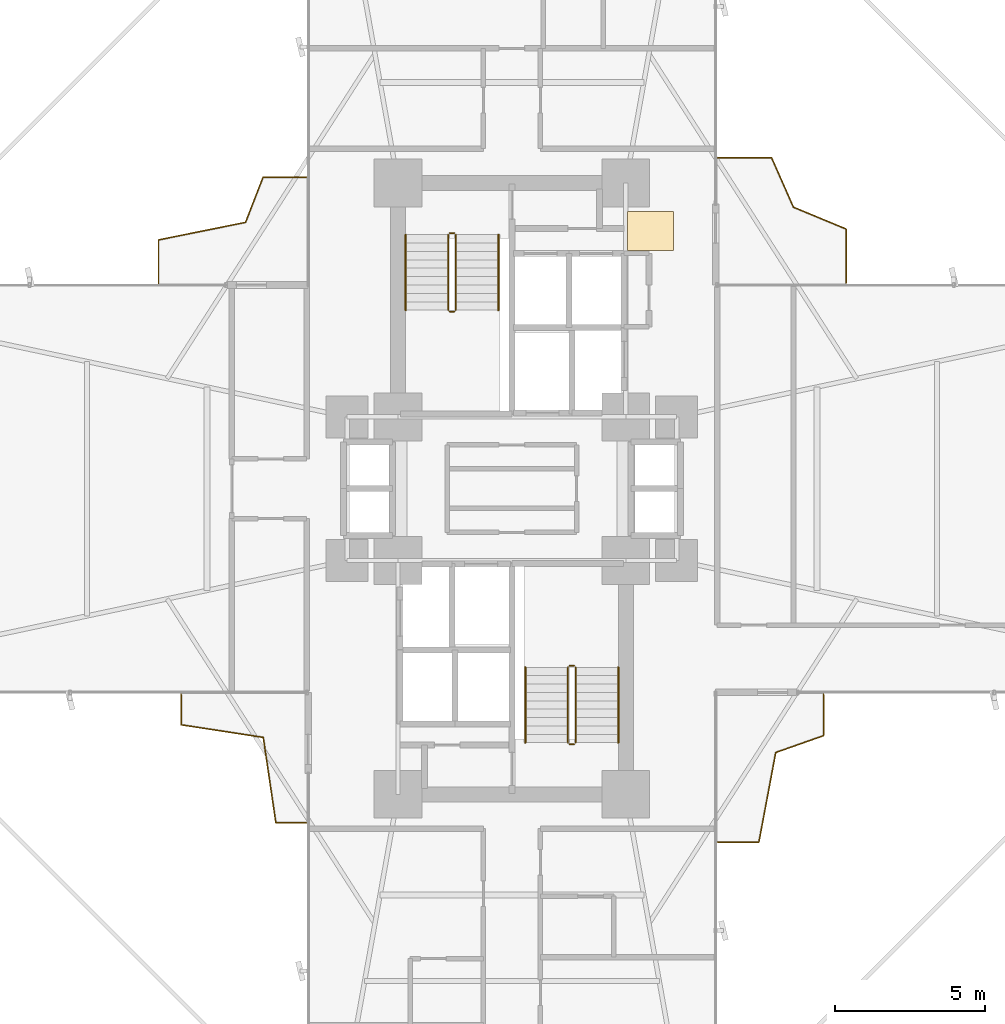
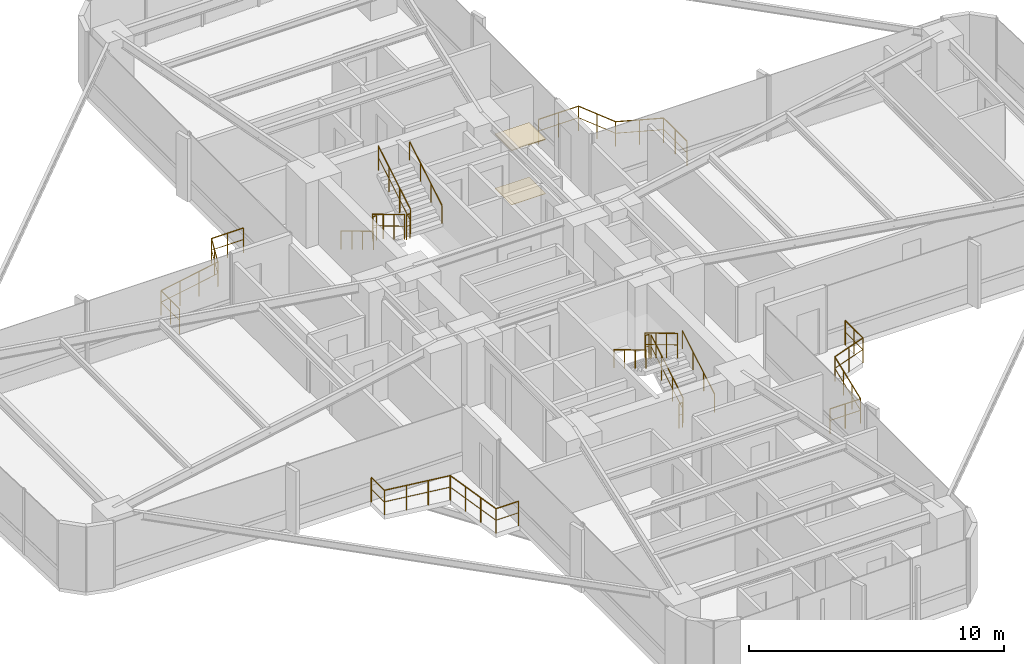
# One storey, part 25 of 25: 16 railings, 2 coverings.
"""IFC4 building model written with IfcOpenShell, lengths in metres."""

from ifc_helpers import new_model, si_unit, direction, frame, origin, origin_2d, place, context, subcontext, project, spatial, polyline, circle, outline, extrude, material, layer, layer_set, type_object, element, save


model = new_model("IFC4")

# Units and contexts
model_context = context("Model", 3, precision=1e-05, world=origin(), true_north=direction((0.0, 1.0)))
body_context = subcontext(model_context, "Body", "Model", "MODEL_VIEW")
ifc_project = project(units=[si_unit("LENGTHUNIT", "METRE"), si_unit("AREAUNIT", "SQUARE_METRE"), si_unit("VOLUMEUNIT", "CUBIC_METRE"), si_unit("PLANEANGLEUNIT", "RADIAN"), si_unit("MASSUNIT", "GRAM", prefix="KILO")], contexts=[model_context])

# Site, building, storey
site_placement = place(None, origin())
site = spatial("IfcSite", under=ifc_project, at=site_placement, CompositionType="ELEMENT")
building_placement = place(site_placement, origin())
building = spatial("IfcBuilding", under=site, at=building_placement, Name="Sahyath Konkavel Grand Hotel", CompositionType="ELEMENT")
storey_placement = place(building_placement, frame((0.0, 0.0, 39.85009765625)))
storey = spatial("IfcBuildingStorey", under=building, at=storey_placement, Name="L10", CompositionType="ELEMENT", Elevation=39.85009765625)

# Coverings
ifc_material_1 = material(Name="Perforated Acoustic Gypsum and Teak Baffle Ceiling")
ifc_layer_1 = layer(ifc_material_1, 0.044921875)
ifc_layer_set_1 = layer_set([ifc_layer_1], Name="Perforated Acoustic Gypsum and Teak Baffle Ceiling")
covering_type_1 = type_object("IfcCoveringType", Name="COV-ACOUSTIC-CLG", PredefinedType="CEILING", material=ifc_layer_set_1)
covering_1_placement = place(storey_placement, frame((0.0, 0.0, 2.58984375)))
element("IfcCovering", 1, at=covering_1_placement, inside=storey, type_object=covering_type_1, Name="L10 Core Vestibule Acoustic Ceiling", PredefinedType="CEILING", context=body_context, shape_type="SweptSolid", body=[
    extrude(outline(polyline([(3.85009765625, 7.949951171875), (5.39990234375, 7.949951171875), (5.39990234375, 9.25), (3.85009765625, 9.25), (3.85009765625, 7.949951171875)])), origin(), (0.0, 0.0, 1.0), 0.0400390625),
])
ifc_material_2 = material(Name="Polished Konkan Aggregate Terrazzo Flooring")
ifc_layer_2 = layer(ifc_material_2, 0.02001953125)
ifc_layer_set_2 = layer_set([ifc_layer_2], Name="Polished Konkan Aggregate Terrazzo Flooring")
covering_type_2 = type_object("IfcCoveringType", Name="COV-TERRAZZO", PredefinedType="FLOORING", material=ifc_layer_set_2)
covering_2_placement = place(storey_placement, origin())
element("IfcCovering", 2, at=covering_2_placement, inside=storey, type_object=covering_type_2, Name="L10 Core Vestibule Terrazzo Flooring", PredefinedType="FLOORING", context=body_context, shape_type="SweptSolid", body=[
    extrude(outline(polyline([(3.85009765625, 7.949951171875), (5.39990234375, 7.949951171875), (5.39990234375, 9.25), (3.85009765625, 9.25), (3.85009765625, 7.949951171875)])), origin(), (0.0, 0.0, 1.0), 0.02001953125),
])

# Railings
ifc_material_3 = material(Name="Anodised Bronze Aluminium", Category="aluminium")
railing_type_1 = type_object("IfcRailingType", Name="RLG-BALC-1200", PredefinedType="GUARDRAIL", material=ifc_material_3)
railing_1_placement = place(storey_placement, frame((11.155029296875, 6.860107421875, 0.0)))
element("IfcRailing", 3, at=railing_1_placement, inside=storey, type_object=railing_type_1, Name="L10 Winter-Garden Guard NE", PredefinedType="GUARDRAIL", context=body_context, shape_type="SweptSolid", body=[
    extrude(circle(Radius=0.02392578125, at=origin_2d()), frame((0.0, 0.001953125, 1.17578125), z_axis=(0.0, 1.0, 0.0), x_axis=(-1.0, 0.0, 0.0)), (0.0, 0.0, 1.0), 1.806640625),
    extrude(circle(Radius=0.01416015625, at=origin_2d()), frame((0.0, 0.001953125, 0.6240234375), z_axis=(0.0, 1.0, 0.0), x_axis=(-1.0, 0.0, 0.0)), (0.0, 0.0, 1.0), 1.806640625),
    extrude(circle(Radius=0.02392578125, at=origin_2d()), frame((-0.001953125, 1.811279296875, 1.17578125), z_axis=(-0.923974597153, 0.382453845341, 0.0), x_axis=(-0.382453845341, -0.923974597153, 0.0)), (0.0, 0.0, 1.0), 1.897705078125),
    extrude(circle(Radius=0.01416015625, at=origin_2d()), frame((-0.001953125, 1.811279296875, 0.6240234375), z_axis=(-0.923974597153, 0.382453845341, 0.0), x_axis=(-0.382453845341, -0.923974597153, 0.0)), (0.0, 0.0, 1.0), 1.897705078125),
    extrude(circle(Radius=0.02392578125, at=origin_2d()), frame((-1.7578125, 2.53955078125, 1.17578125), z_axis=(-0.403960679618, 0.914776349346, 0.0), x_axis=(-0.914776349346, -0.403960679618, 0.0)), (0.0, 0.0, 1.0), 1.79638671875),
    extrude(circle(Radius=0.01416015625, at=origin_2d()), frame((-1.7578125, 2.53955078125, 0.6240234375), z_axis=(-0.403960679618, 0.914776349346, 0.0), x_axis=(-0.914776349346, -0.403960679618, 0.0)), (0.0, 0.0, 1.0), 1.79638671875),
    extrude(circle(Radius=0.02392578125, at=origin_2d()), frame((-2.486328125, 4.184814453125, 1.17578125), z_axis=(-1.0, 0.0, 0.0), x_axis=(0.0, -1.0, 0.0)), (0.0, 0.0, 1.0), 1.806640625),
    extrude(circle(Radius=0.01416015625, at=origin_2d()), frame((-2.486328125, 4.184814453125, 0.6240234375), z_axis=(-1.0, 0.0, 0.0), x_axis=(0.0, -1.0, 0.0)), (0.0, 0.0, 1.0), 1.806640625),
    extrude(circle(Radius=0.02099609375, at=origin_2d()), origin(), (0.0, 0.0, 1.0), 1.15185546875),
    extrude(circle(Radius=0.02099609375, at=origin_2d()), frame((0.0, 0.9052734375, 0.0)), (0.0, 0.0, 1.0), 1.15185546875),
    extrude(circle(Radius=0.02099609375, at=origin_2d()), frame((0.0, 1.810546875, 0.0)), (0.0, 0.0, 1.0), 1.15185546875),
    extrude(circle(Radius=0.02099609375, at=origin_2d()), frame((-0.87841796875, 2.17431640625, 0.0)), (0.0, 0.0, 1.0), 1.15185546875),
    extrude(circle(Radius=0.02099609375, at=origin_2d()), frame((-1.757080078125, 2.537841796875, 0.0)), (0.0, 0.0, 1.0), 1.15185546875),
    extrude(circle(Radius=0.02099609375, at=origin_2d()), frame((-2.12060546875, 3.361328125, 0.0)), (0.0, 0.0, 1.0), 1.15185546875),
    extrude(circle(Radius=0.02099609375, at=origin_2d()), frame((-2.484375, 4.184814453125, 0.0)), (0.0, 0.0, 1.0), 1.15185546875),
    extrude(circle(Radius=0.02099609375, at=origin_2d()), frame((-3.3896484375, 4.184814453125, 0.0)), (0.0, 0.0, 1.0), 1.15185546875),
    extrude(circle(Radius=0.02099609375, at=origin_2d()), frame((-4.294921875, 4.184814453125, 0.0)), (0.0, 0.0, 1.0), 1.15185546875),
])
railing_2_placement = place(storey_placement, frame((-6.860107421875, 10.402099609375, 0.0)))
element("IfcRailing", 4, at=railing_2_placement, inside=storey, type_object=railing_type_1, Name="L10 Winter-Garden Guard NW", PredefinedType="GUARDRAIL", context=body_context, shape_type="SweptSolid", body=[
    extrude(circle(Radius=0.02392578125, at=origin_2d()), frame((-0.001953125, 0.0, 1.17578125), z_axis=(-1.0, 0.0, 0.0), x_axis=(0.0, -1.0, 0.0)), (0.0, 0.0, 1.0), 1.44287109375),
    extrude(circle(Radius=0.01416015625, at=origin_2d()), frame((-0.001953125, 0.0, 0.6240234375), z_axis=(-1.0, 0.0, 0.0), x_axis=(0.0, -1.0, 0.0)), (0.0, 0.0, 1.0), 1.44287109375),
    extrude(circle(Radius=0.02392578125, at=origin_2d()), frame((-1.447509765625, -0.001953125, 1.17578125), z_axis=(-0.362089632699, -0.932143281847, 0.0), x_axis=(0.932143281847, -0.362089632699, 0.0)), (0.0, 0.0, 1.0), 1.614990234375),
    extrude(circle(Radius=0.01416015625, at=origin_2d()), frame((-1.447509765625, -0.001953125, 0.6240234375), z_axis=(-0.362089632699, -0.932143281847, 0.0), x_axis=(0.932143281847, -0.362089632699, 0.0)), (0.0, 0.0, 1.0), 1.614990234375),
    extrude(circle(Radius=0.02392578125, at=origin_2d()), frame((-2.034912109375, -1.509521484375, 1.17578125), z_axis=(-0.980243379546, -0.197795138607, 0.0), x_axis=(0.197795138607, -0.980243379546, 0.0)), (0.0, 0.0, 1.0), 2.95947265625),
    extrude(circle(Radius=0.01416015625, at=origin_2d()), frame((-2.034912109375, -1.509521484375, 0.6240234375), z_axis=(-0.980243379546, -0.197795138607, 0.0), x_axis=(0.197795138607, -0.980243379546, 0.0)), (0.0, 0.0, 1.0), 2.95947265625),
    extrude(circle(Radius=0.02392578125, at=origin_2d()), frame((-4.93798828125, -2.09716796875, 1.17578125), z_axis=(0.0, -1.0, 0.0), x_axis=(1.0, 0.0, 0.0)), (0.0, 0.0, 1.0), 1.44287109375),
    extrude(circle(Radius=0.01416015625, at=origin_2d()), frame((-4.93798828125, -2.09716796875, 0.6240234375), z_axis=(0.0, -1.0, 0.0), x_axis=(1.0, 0.0, 0.0)), (0.0, 0.0, 1.0), 1.44287109375),
    extrude(circle(Radius=0.02099609375, at=origin_2d()), origin(), (0.0, 0.0, 1.0), 1.15185546875),
    extrude(circle(Radius=0.02099609375, at=origin_2d()), frame((-0.723388671875, 0.0, 0.0)), (0.0, 0.0, 1.0), 1.15185546875),
    extrude(circle(Radius=0.02099609375, at=origin_2d()), frame((-1.44677734375, 0.0, 0.0)), (0.0, 0.0, 1.0), 1.15185546875),
    extrude(circle(Radius=0.02099609375, at=origin_2d()), frame((-1.73974609375, -0.75439453125, 0.0)), (0.0, 0.0, 1.0), 1.15185546875),
    extrude(circle(Radius=0.02099609375, at=origin_2d()), frame((-2.032958984375, -1.509033203125, 0.0)), (0.0, 0.0, 1.0), 1.15185546875),
    extrude(circle(Radius=0.02099609375, at=origin_2d()), frame((-3.001220703125, -1.704345703125, 0.0)), (0.0, 0.0, 1.0), 1.15185546875),
    extrude(circle(Radius=0.02099609375, at=origin_2d()), frame((-3.9697265625, -1.89990234375, 0.0)), (0.0, 0.0, 1.0), 1.15185546875),
    extrude(circle(Radius=0.02099609375, at=origin_2d()), frame((-4.93798828125, -2.09521484375, 0.0)), (0.0, 0.0, 1.0), 1.15185546875),
    extrude(circle(Radius=0.02099609375, at=origin_2d()), frame((-4.93798828125, -2.818603515625, 0.0)), (0.0, 0.0, 1.0), 1.15185546875),
    extrude(circle(Radius=0.02099609375, at=origin_2d()), frame((-4.93798828125, -3.5419921875, 0.0)), (0.0, 0.0, 1.0), 1.15185546875),
])
railing_3_placement = place(storey_placement, frame((-11.044921875, -6.860107421875, 0.0)))
element("IfcRailing", 5, at=railing_3_placement, inside=storey, type_object=railing_type_1, Name="L10 Winter-Garden Guard SW", PredefinedType="GUARDRAIL", context=body_context, shape_type="SweptSolid", body=[
    extrude(circle(Radius=0.02392578125, at=origin_2d()), frame((0.0, -0.001953125, 1.17578125), z_axis=(0.0, -1.0, 0.0), x_axis=(1.0, 0.0, 0.0)), (0.0, 0.0, 1.0), 1.017333984375),
    extrude(circle(Radius=0.01416015625, at=origin_2d()), frame((0.0, -0.001953125, 0.6240234375), z_axis=(0.0, -1.0, 0.0), x_axis=(1.0, 0.0, 0.0)), (0.0, 0.0, 1.0), 1.017333984375),
    extrude(circle(Radius=0.02392578125, at=origin_2d()), frame((0.001953125, -1.021484375, 1.17578125), z_axis=(0.988443800148, -0.151587776382, 0.0), x_axis=(0.151587776382, 0.988443800148, 0.0)), (0.0, 0.0, 1.0), 2.77099609375),
    extrude(circle(Radius=0.01416015625, at=origin_2d()), frame((0.001953125, -1.021484375, 0.6240234375), z_axis=(0.988443800148, -0.151587776382, 0.0), x_axis=(0.151587776382, 0.988443800148, 0.0)), (0.0, 0.0, 1.0), 2.77099609375),
    extrude(circle(Radius=0.02392578125, at=origin_2d()), frame((2.7431640625, -1.44384765625, 1.17578125), z_axis=(0.145864436393, -0.98930458717, 0.0), x_axis=(0.98930458717, 0.145864436393, 0.0)), (0.0, 0.0, 1.0), 2.8798828125),
    extrude(circle(Radius=0.01416015625, at=origin_2d()), frame((2.7431640625, -1.44384765625, 0.6240234375), z_axis=(0.145864436393, -0.98930458717, 0.0), x_axis=(0.98930458717, 0.145864436393, 0.0)), (0.0, 0.0, 1.0), 2.8798828125),
    extrude(circle(Radius=0.02392578125, at=origin_2d()), frame((3.16552734375, -4.294921875, 1.17578125), z_axis=(1.0, 0.0, 0.0), x_axis=(0.0, 1.0, 0.0)), (0.0, 0.0, 1.0), 1.017333984375),
    extrude(circle(Radius=0.01416015625, at=origin_2d()), frame((3.16552734375, -4.294921875, 0.6240234375), z_axis=(1.0, 0.0, 0.0), x_axis=(0.0, 1.0, 0.0)), (0.0, 0.0, 1.0), 1.017333984375),
    extrude(circle(Radius=0.02099609375, at=origin_2d()), origin(), (0.0, 0.0, 1.0), 1.15185546875),
    extrude(circle(Radius=0.02099609375, at=origin_2d()), frame((0.0, -1.021240234375, 0.0)), (0.0, 0.0, 1.0), 1.15185546875),
    extrude(circle(Radius=0.02099609375, at=origin_2d()), frame((0.914306640625, -1.161376953125, 0.0)), (0.0, 0.0, 1.0), 1.15185546875),
    extrude(circle(Radius=0.02099609375, at=origin_2d()), frame((1.82861328125, -1.3017578125, 0.0)), (0.0, 0.0, 1.0), 1.15185546875),
    extrude(circle(Radius=0.02099609375, at=origin_2d()), frame((2.742919921875, -1.44189453125, 0.0)), (0.0, 0.0, 1.0), 1.15185546875),
    extrude(circle(Radius=0.02099609375, at=origin_2d()), frame((2.883056640625, -2.392822265625, 0.0)), (0.0, 0.0, 1.0), 1.15185546875),
    extrude(circle(Radius=0.02099609375, at=origin_2d()), frame((3.0234375, -3.343994140625, 0.0)), (0.0, 0.0, 1.0), 1.15185546875),
    extrude(circle(Radius=0.02099609375, at=origin_2d()), frame((3.16357421875, -4.294921875, 0.0)), (0.0, 0.0, 1.0), 1.15185546875),
    extrude(circle(Radius=0.02099609375, at=origin_2d()), frame((4.184814453125, -4.294921875, 0.0)), (0.0, 0.0, 1.0), 1.15185546875),
])
railing_4_placement = place(storey_placement, frame((6.860107421875, -11.798095703125, 0.0)))
element("IfcRailing", 6, at=railing_4_placement, inside=storey, type_object=railing_type_1, Name="L10 Winter-Garden Guard SE", PredefinedType="GUARDRAIL", context=body_context, shape_type="SweptSolid", body=[
    extrude(circle(Radius=0.02392578125, at=origin_2d()), frame((0.001953125, 0.0, 1.17578125), z_axis=(1.0, 0.0, 0.0), x_axis=(0.0, 1.0, 0.0)), (0.0, 0.0, 1.0), 1.381103515625),
    extrude(circle(Radius=0.01416015625, at=origin_2d()), frame((0.001953125, 0.0, 0.6240234375), z_axis=(1.0, 0.0, 0.0), x_axis=(0.0, 1.0, 0.0)), (0.0, 0.0, 1.0), 1.381103515625),
    extrude(circle(Radius=0.02392578125, at=origin_2d()), frame((1.385498046875, 0.001953125, 1.17578125), z_axis=(0.184579124126, 0.982817657013, 0.0), x_axis=(-0.982817657013, 0.184579124126, 0.0)), (0.0, 0.0, 1.0), 3.03955078125),
    extrude(circle(Radius=0.01416015625, at=origin_2d()), frame((1.385498046875, 0.001953125, 0.6240234375), z_axis=(0.184579124126, 0.982817657013, 0.0), x_axis=(-0.982817657013, 0.184579124126, 0.0)), (0.0, 0.0, 1.0), 3.03955078125),
    extrude(circle(Radius=0.02392578125, at=origin_2d()), frame((1.94873046875, 2.991943359375, 1.17578125), z_axis=(0.943221962669, 0.332163106229, 0.0), x_axis=(-0.332163106229, 0.943221962669, 0.0)), (0.0, 0.0, 1.0), 1.687255859375),
    extrude(circle(Radius=0.01416015625, at=origin_2d()), frame((1.94873046875, 2.991943359375, 0.6240234375), z_axis=(0.943221962669, 0.332163106229, 0.0), x_axis=(-0.332163106229, 0.943221962669, 0.0)), (0.0, 0.0, 1.0), 1.687255859375),
    extrude(circle(Radius=0.02392578125, at=origin_2d()), frame((3.5419921875, 3.554931640625, 1.17578125), z_axis=(0.0, 1.0, 0.0), x_axis=(-1.0, 0.0, 0.0)), (0.0, 0.0, 1.0), 1.381103515625),
    extrude(circle(Radius=0.01416015625, at=origin_2d()), frame((3.5419921875, 3.554931640625, 0.6240234375), z_axis=(0.0, 1.0, 0.0), x_axis=(-1.0, 0.0, 0.0)), (0.0, 0.0, 1.0), 1.381103515625),
    extrude(circle(Radius=0.02099609375, at=origin_2d()), origin(), (0.0, 0.0, 1.0), 1.15185546875),
    extrude(circle(Radius=0.02099609375, at=origin_2d()), frame((0.6923828125, 0.0, 0.0)), (0.0, 0.0, 1.0), 1.15185546875),
    extrude(circle(Radius=0.02099609375, at=origin_2d()), frame((1.385009765625, 0.0, 0.0)), (0.0, 0.0, 1.0), 1.15185546875),
    extrude(circle(Radius=0.02099609375, at=origin_2d()), frame((1.572265625, 0.9970703125, 0.0)), (0.0, 0.0, 1.0), 1.15185546875),
    extrude(circle(Radius=0.02099609375, at=origin_2d()), frame((1.759521484375, 1.994140625, 0.0)), (0.0, 0.0, 1.0), 1.15185546875),
    extrude(circle(Radius=0.02099609375, at=origin_2d()), frame((1.94677734375, 2.9912109375, 0.0)), (0.0, 0.0, 1.0), 1.15185546875),
    extrude(circle(Radius=0.02099609375, at=origin_2d()), frame((2.744384765625, 3.27197265625, 0.0)), (0.0, 0.0, 1.0), 1.15185546875),
    extrude(circle(Radius=0.02099609375, at=origin_2d()), frame((3.5419921875, 3.552978515625, 0.0)), (0.0, 0.0, 1.0), 1.15185546875),
    extrude(circle(Radius=0.02099609375, at=origin_2d()), frame((3.5419921875, 4.24560546875, 0.0)), (0.0, 0.0, 1.0), 1.15185546875),
    extrude(circle(Radius=0.02099609375, at=origin_2d()), frame((3.5419921875, 4.93798828125, 0.0)), (0.0, 0.0, 1.0), 1.15185546875),
])
ifc_material_4 = material(Name="Steel E350", Category="steel")
railing_type_2 = type_object("IfcRailingType", Name="RLG-STAIR-GRD", PredefinedType="GUARDRAIL", material=ifc_material_4)
railing_5_placement = place(storey_placement, frame((-2.1298828125, 8.47998046875, 0.16748046875)))
element("IfcRailing", 7, at=railing_5_placement, inside=storey, type_object=railing_type_2, Name="L10 ST-1 stair guard 1", PredefinedType="GUARDRAIL", context=body_context, shape_type="SweptSolid", body=[
    extrude(circle(Radius=0.02392578125, at=origin_2d()), frame((0.0, -0.001708984375, 1.177001953125), z_axis=(0.0, -0.858196387827, 0.513321497621), x_axis=(1.0, 0.0, 0.0)), (0.0, 0.0, 1.0), 2.932373046875),
    extrude(circle(Radius=0.01416015625, at=origin_2d()), frame((0.0, -0.001708984375, 0.625), z_axis=(0.0, -0.858196387827, 0.513321497621), x_axis=(1.0, 0.0, 0.0)), (0.0, 0.0, 1.0), 2.932373046875),
    extrude(circle(Radius=0.02099609375, at=origin_2d()), origin(), (0.0, 0.0, 1.0), 1.15185546875),
    extrude(circle(Radius=0.02099609375, at=origin_2d()), frame((0.0, -0.840087890625, 0.50244140625)), (0.0, 0.0, 1.0), 1.15185546875),
    extrude(circle(Radius=0.02099609375, at=origin_2d()), frame((0.0, -1.679931640625, 1.0048828125)), (0.0, 0.0, 1.0), 1.15185546875),
    extrude(circle(Radius=0.02099609375, at=origin_2d()), frame((0.0, -2.52001953125, 1.50732421875)), (0.0, 0.0, 1.0), 1.15185546875),
])
railing_6_placement = place(storey_placement, frame((-2.080078125, 5.909912109375, 1.6748046875)))
element("IfcRailing", 8, at=railing_6_placement, inside=storey, type_object=railing_type_2, Name="L10 ST-1 stair guard 2", PredefinedType="GUARDRAIL", context=body_context, shape_type="SweptSolid", body=[
    extrude(circle(Radius=0.02392578125, at=origin_2d()), frame((0.001953125, 0.0, 1.17578125), z_axis=(1.0, 0.0, 0.0), x_axis=(0.0, 1.0, 0.0)), (0.0, 0.0, 1.0), 0.15625),
    extrude(circle(Radius=0.01416015625, at=origin_2d()), frame((0.001953125, 0.0, 0.6240234375), z_axis=(1.0, 0.0, 0.0), x_axis=(0.0, 1.0, 0.0)), (0.0, 0.0, 1.0), 0.15625),
    extrude(circle(Radius=0.02099609375, at=origin_2d()), origin(), (0.0, 0.0, 1.0), 1.15185546875),
    extrude(circle(Radius=0.02099609375, at=origin_2d()), frame((0.16015625, 0.0, 0.0)), (0.0, 0.0, 1.0), 1.15185546875),
])
railing_7_placement = place(storey_placement, frame((-1.8701171875, 5.9599609375, 1.84228515625)))
element("IfcRailing", 9, at=railing_7_placement, inside=storey, type_object=railing_type_2, Name="L10 ST-1 stair guard 3", PredefinedType="GUARDRAIL", context=body_context, shape_type="SweptSolid", body=[
    extrude(circle(Radius=0.02392578125, at=origin_2d()), frame((0.0, 0.001708984375, 1.177001953125), z_axis=(0.0, 0.858159760407, 0.513382728203), x_axis=(-1.0, 0.0, 0.0)), (0.0, 0.0, 1.0), 2.9326171875),
    extrude(circle(Radius=0.01416015625, at=origin_2d()), frame((0.0, 0.001708984375, 0.625), z_axis=(0.0, 0.858159760407, 0.513382728203), x_axis=(-1.0, 0.0, 0.0)), (0.0, 0.0, 1.0), 2.9326171875),
    extrude(circle(Radius=0.02099609375, at=origin_2d()), origin(), (0.0, 0.0, 1.0), 1.15185546875),
    extrude(circle(Radius=0.02099609375, at=origin_2d()), frame((0.0, 0.840087890625, 0.50244140625)), (0.0, 0.0, 1.0), 1.15185546875),
    extrude(circle(Radius=0.02099609375, at=origin_2d()), frame((0.0, 1.679931640625, 1.005126953125)), (0.0, 0.0, 1.0), 1.15185546875),
    extrude(circle(Radius=0.02099609375, at=origin_2d()), frame((0.0, 2.52001953125, 1.507568359375)), (0.0, 0.0, 1.0), 1.15185546875),
])
railing_8_placement = place(storey_placement, frame((-2.080078125, 8.530029296875, 0.0)))
element("IfcRailing", 10, at=railing_8_placement, inside=storey, type_object=railing_type_2, Name="L10 ST-1 stair guard 4", PredefinedType="GUARDRAIL", context=body_context, shape_type="SweptSolid", body=[
    extrude(circle(Radius=0.02392578125, at=origin_2d()), frame((0.001953125, 0.0, 1.17578125), z_axis=(1.0, 0.0, 0.0), x_axis=(0.0, 1.0, 0.0)), (0.0, 0.0, 1.0), 0.15625),
    extrude(circle(Radius=0.01416015625, at=origin_2d()), frame((0.001953125, 0.0, 0.6240234375), z_axis=(1.0, 0.0, 0.0), x_axis=(0.0, 1.0, 0.0)), (0.0, 0.0, 1.0), 0.15625),
    extrude(circle(Radius=0.02099609375, at=origin_2d()), origin(), (0.0, 0.0, 1.0), 1.15185546875),
    extrude(circle(Radius=0.02099609375, at=origin_2d()), frame((0.16015625, 0.0, 0.0)), (0.0, 0.0, 1.0), 1.15185546875),
])
railing_9_placement = place(storey_placement, frame((2.1298828125, -8.47998046875, 0.16748046875)))
element("IfcRailing", 11, at=railing_9_placement, inside=storey, type_object=railing_type_2, Name="L10 ST-2 stair guard 1", PredefinedType="GUARDRAIL", context=body_context, shape_type="SweptSolid", body=[
    extrude(circle(Radius=0.02392578125, at=origin_2d()), frame((0.0, 0.001708984375, 1.177001953125), z_axis=(0.0, 0.858196387827, 0.513321497621), x_axis=(-1.0, 0.0, 0.0)), (0.0, 0.0, 1.0), 2.932373046875),
    extrude(circle(Radius=0.01416015625, at=origin_2d()), frame((0.0, 0.001708984375, 0.625), z_axis=(0.0, 0.858196387827, 0.513321497621), x_axis=(-1.0, 0.0, 0.0)), (0.0, 0.0, 1.0), 2.932373046875),
    extrude(circle(Radius=0.02099609375, at=origin_2d()), origin(), (0.0, 0.0, 1.0), 1.15185546875),
    extrude(circle(Radius=0.02099609375, at=origin_2d()), frame((0.0, 0.840087890625, 0.50244140625)), (0.0, 0.0, 1.0), 1.15185546875),
    extrude(circle(Radius=0.02099609375, at=origin_2d()), frame((0.0, 1.679931640625, 1.0048828125)), (0.0, 0.0, 1.0), 1.15185546875),
    extrude(circle(Radius=0.02099609375, at=origin_2d()), frame((0.0, 2.52001953125, 1.50732421875)), (0.0, 0.0, 1.0), 1.15185546875),
])
railing_10_placement = place(storey_placement, frame((2.080078125, -5.909912109375, 1.6748046875)))
element("IfcRailing", 12, at=railing_10_placement, inside=storey, type_object=railing_type_2, Name="L10 ST-2 stair guard 2", PredefinedType="GUARDRAIL", context=body_context, shape_type="SweptSolid", body=[
    extrude(circle(Radius=0.02392578125, at=origin_2d()), frame((-0.001953125, 0.0, 1.17578125), z_axis=(-1.0, 0.0, 0.0), x_axis=(0.0, -1.0, 0.0)), (0.0, 0.0, 1.0), 0.15625),
    extrude(circle(Radius=0.01416015625, at=origin_2d()), frame((-0.001953125, 0.0, 0.6240234375), z_axis=(-1.0, 0.0, 0.0), x_axis=(0.0, -1.0, 0.0)), (0.0, 0.0, 1.0), 0.15625),
    extrude(circle(Radius=0.02099609375, at=origin_2d()), origin(), (0.0, 0.0, 1.0), 1.15185546875),
    extrude(circle(Radius=0.02099609375, at=origin_2d()), frame((-0.16015625, 0.0, 0.0)), (0.0, 0.0, 1.0), 1.15185546875),
])
railing_11_placement = place(storey_placement, frame((1.8701171875, -5.9599609375, 1.84228515625)))
element("IfcRailing", 13, at=railing_11_placement, inside=storey, type_object=railing_type_2, Name="L10 ST-2 stair guard 3", PredefinedType="GUARDRAIL", context=body_context, shape_type="SweptSolid", body=[
    extrude(circle(Radius=0.02392578125, at=origin_2d()), frame((0.0, -0.001708984375, 1.177001953125), z_axis=(0.0, -0.858159760407, 0.513382728203), x_axis=(1.0, 0.0, 0.0)), (0.0, 0.0, 1.0), 2.9326171875),
    extrude(circle(Radius=0.01416015625, at=origin_2d()), frame((0.0, -0.001708984375, 0.625), z_axis=(0.0, -0.858159760407, 0.513382728203), x_axis=(1.0, 0.0, 0.0)), (0.0, 0.0, 1.0), 2.9326171875),
    extrude(circle(Radius=0.02099609375, at=origin_2d()), origin(), (0.0, 0.0, 1.0), 1.15185546875),
    extrude(circle(Radius=0.02099609375, at=origin_2d()), frame((0.0, -0.840087890625, 0.50244140625)), (0.0, 0.0, 1.0), 1.15185546875),
    extrude(circle(Radius=0.02099609375, at=origin_2d()), frame((0.0, -1.679931640625, 1.005126953125)), (0.0, 0.0, 1.0), 1.15185546875),
    extrude(circle(Radius=0.02099609375, at=origin_2d()), frame((0.0, -2.52001953125, 1.507568359375)), (0.0, 0.0, 1.0), 1.15185546875),
])
railing_12_placement = place(storey_placement, frame((2.080078125, -8.530029296875, 0.0)))
element("IfcRailing", 14, at=railing_12_placement, inside=storey, type_object=railing_type_2, Name="L10 ST-2 stair guard 4", PredefinedType="GUARDRAIL", context=body_context, shape_type="SweptSolid", body=[
    extrude(circle(Radius=0.02392578125, at=origin_2d()), frame((-0.001953125, 0.0, 1.17578125), z_axis=(-1.0, 0.0, 0.0), x_axis=(0.0, -1.0, 0.0)), (0.0, 0.0, 1.0), 0.15625),
    extrude(circle(Radius=0.01416015625, at=origin_2d()), frame((-0.001953125, 0.0, 0.6240234375), z_axis=(-1.0, 0.0, 0.0), x_axis=(0.0, -1.0, 0.0)), (0.0, 0.0, 1.0), 0.15625),
    extrude(circle(Radius=0.02099609375, at=origin_2d()), origin(), (0.0, 0.0, 1.0), 1.15185546875),
    extrude(circle(Radius=0.02099609375, at=origin_2d()), frame((-0.16015625, 0.0, 0.0)), (0.0, 0.0, 1.0), 1.15185546875),
])
railing_type_3 = type_object("IfcRailingType", Name="RLG-STAIR-HND", PredefinedType="HANDRAIL", material=ifc_material_3)
railing_13_placement = place(storey_placement, frame((-3.550048828125, 8.47998046875, 0.16748046875)))
element("IfcRailing", 15, at=railing_13_placement, inside=storey, type_object=railing_type_3, Name="L10 ST-1 stair handrail 1", PredefinedType="HANDRAIL", context=body_context, shape_type="SweptSolid", body=[
    extrude(circle(Radius=0.02392578125, at=origin_2d()), frame((0.0, -0.001708984375, 0.876953125), z_axis=(0.0, -0.858196387827, 0.513321497621), x_axis=(1.0, 0.0, 0.0)), (0.0, 0.0, 1.0), 2.932373046875),
    extrude(circle(Radius=0.02099609375, at=origin_2d()), origin(), (0.0, 0.0, 1.0), 0.851806640625),
    extrude(circle(Radius=0.02099609375, at=origin_2d()), frame((0.0, -0.840087890625, 0.50244140625)), (0.0, 0.0, 1.0), 0.851806640625),
    extrude(circle(Radius=0.02099609375, at=origin_2d()), frame((0.0, -1.679931640625, 1.0048828125)), (0.0, 0.0, 1.0), 0.851806640625),
    extrude(circle(Radius=0.02099609375, at=origin_2d()), frame((0.0, -2.52001953125, 1.50732421875)), (0.0, 0.0, 1.0), 0.851806640625),
])
railing_14_placement = place(storey_placement, frame((-0.449951171875, 5.9599609375, 1.84228515625)))
element("IfcRailing", 16, at=railing_14_placement, inside=storey, type_object=railing_type_3, Name="L10 ST-1 stair handrail 2", PredefinedType="HANDRAIL", context=body_context, shape_type="SweptSolid", body=[
    extrude(circle(Radius=0.02392578125, at=origin_2d()), frame((0.0, 0.001708984375, 0.876953125), z_axis=(0.0, 0.858159760407, 0.513382728203), x_axis=(-1.0, 0.0, 0.0)), (0.0, 0.0, 1.0), 2.9326171875),
    extrude(circle(Radius=0.02099609375, at=origin_2d()), origin(), (0.0, 0.0, 1.0), 0.851806640625),
    extrude(circle(Radius=0.02099609375, at=origin_2d()), frame((0.0, 0.840087890625, 0.50244140625)), (0.0, 0.0, 1.0), 0.851806640625),
    extrude(circle(Radius=0.02099609375, at=origin_2d()), frame((0.0, 1.679931640625, 1.005126953125)), (0.0, 0.0, 1.0), 0.851806640625),
    extrude(circle(Radius=0.02099609375, at=origin_2d()), frame((0.0, 2.52001953125, 1.507568359375)), (0.0, 0.0, 1.0), 0.851806640625),
])
railing_15_placement = place(storey_placement, frame((3.550048828125, -8.47998046875, 0.16748046875)))
element("IfcRailing", 17, at=railing_15_placement, inside=storey, type_object=railing_type_3, Name="L10 ST-2 stair handrail 1", PredefinedType="HANDRAIL", context=body_context, shape_type="SweptSolid", body=[
    extrude(circle(Radius=0.02392578125, at=origin_2d()), frame((0.0, 0.001708984375, 0.876953125), z_axis=(0.0, 0.858196387827, 0.513321497621), x_axis=(-1.0, 0.0, 0.0)), (0.0, 0.0, 1.0), 2.932373046875),
    extrude(circle(Radius=0.02099609375, at=origin_2d()), origin(), (0.0, 0.0, 1.0), 0.851806640625),
    extrude(circle(Radius=0.02099609375, at=origin_2d()), frame((0.0, 0.840087890625, 0.50244140625)), (0.0, 0.0, 1.0), 0.851806640625),
    extrude(circle(Radius=0.02099609375, at=origin_2d()), frame((0.0, 1.679931640625, 1.0048828125)), (0.0, 0.0, 1.0), 0.851806640625),
    extrude(circle(Radius=0.02099609375, at=origin_2d()), frame((0.0, 2.52001953125, 1.50732421875)), (0.0, 0.0, 1.0), 0.851806640625),
])
railing_16_placement = place(storey_placement, frame((0.449951171875, -5.9599609375, 1.84228515625)))
element("IfcRailing", 18, at=railing_16_placement, inside=storey, type_object=railing_type_3, Name="L10 ST-2 stair handrail 2", PredefinedType="HANDRAIL", context=body_context, shape_type="SweptSolid", body=[
    extrude(circle(Radius=0.02392578125, at=origin_2d()), frame((0.0, -0.001708984375, 0.876953125), z_axis=(0.0, -0.858159760407, 0.513382728203), x_axis=(1.0, 0.0, 0.0)), (0.0, 0.0, 1.0), 2.9326171875),
    extrude(circle(Radius=0.02099609375, at=origin_2d()), origin(), (0.0, 0.0, 1.0), 0.851806640625),
    extrude(circle(Radius=0.02099609375, at=origin_2d()), frame((0.0, -0.840087890625, 0.50244140625)), (0.0, 0.0, 1.0), 0.851806640625),
    extrude(circle(Radius=0.02099609375, at=origin_2d()), frame((0.0, -1.679931640625, 1.005126953125)), (0.0, 0.0, 1.0), 0.851806640625),
    extrude(circle(Radius=0.02099609375, at=origin_2d()), frame((0.0, -2.52001953125, 1.507568359375)), (0.0, 0.0, 1.0), 0.851806640625),
])

save(model, "model.ifc")
